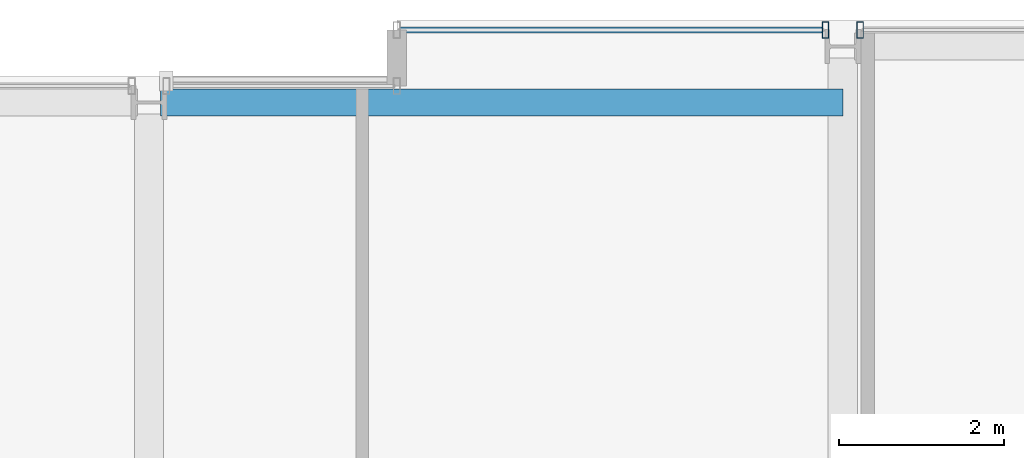
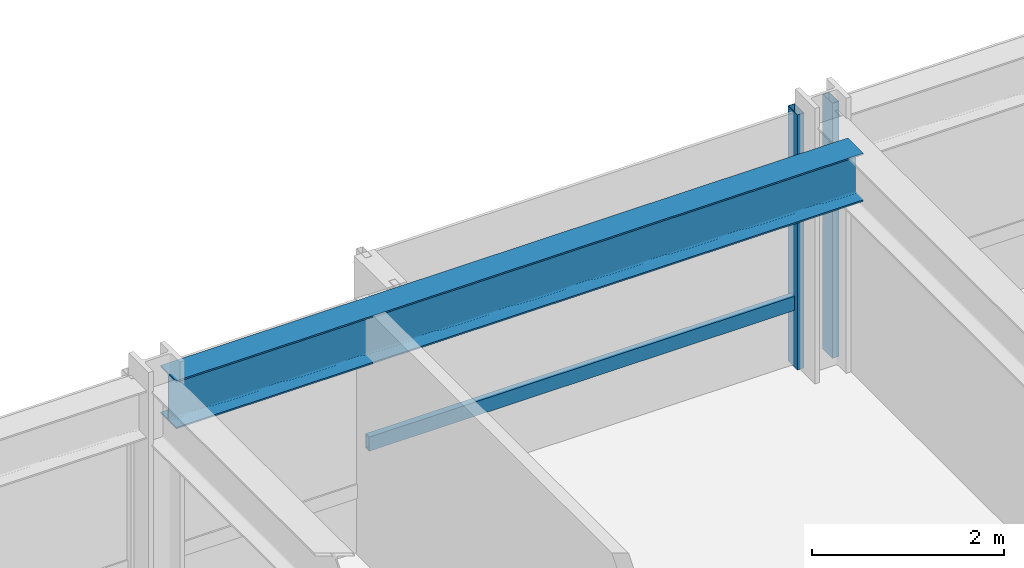
# One storey, part 25 of 35: 3 members, 1 beam, 2 elements without a shape of their own.
"""IFC4 building model written with IfcOpenShell, lengths in metres."""

from ifc_helpers import new_model, si_unit, direction, frame, origin, origin_2d, place, context, subcontext, project, spatial, hollow_rectangle, i_section, extrude, material, layer, layer_set, material_profile, profile_set, type_object, element, aggregate, save


model = new_model("IFC4")

# Units and contexts
model_context = context("Model", 3, precision=1e-05, world=origin(), true_north=direction((0.0, 1.0)))
body_context = subcontext(model_context, "Body", "Model", "MODEL_VIEW")
ifc_project = project(units=[si_unit("LENGTHUNIT", "METRE"), si_unit("AREAUNIT", "SQUARE_METRE"), si_unit("VOLUMEUNIT", "CUBIC_METRE"), si_unit("PLANEANGLEUNIT", "RADIAN"), si_unit("MASSUNIT", "GRAM", prefix="KILO")], contexts=[model_context])

# Site, building, storey
site_placement = place(None, origin())
site = spatial("IfcSite", under=ifc_project, at=site_placement, CompositionType="ELEMENT")
building_placement = place(site_placement, origin())
building = spatial("IfcBuilding", under=site, at=building_placement, Name="Drelvath Grand Hotel", CompositionType="ELEMENT")
storey_placement = place(building_placement, frame((0.0, 0.0, 130.300048828125)))
storey = spatial("IfcBuildingStorey", under=building, at=storey_placement, Name="L33", CompositionType="ELEMENT", Elevation=130.300048828125)

# Curtain wall, members
ifc_material_1 = material(Name="Champagne Bronze Anodised Aluminium Frame", Category="aluminium")
ifc_layer = layer(ifc_material_1, 0.199951171875)
ifc_layer_set = layer_set([ifc_layer], Name="Champagne Bronze Anodised Aluminium Frame")
curtain_wall_type = type_object("IfcCurtainWallType", Name="Stick Curtain Wall CW-03 Champagne Bronze Mid-Rise", PredefinedType="NOTDEFINED", material=ifc_layer_set)
curtain_wall_1_placement = place(storey_placement, origin())
curtain_wall_1 = element("IfcCurtainWall", 1, at=curtain_wall_1_placement, inside=storey, type_object=curtain_wall_type, Name="L33 CW-03 Curtain Wall CW03-L33-NE1", PredefinedType="NOTDEFINED")
ifc_material_profile_1 = material_profile(ifc_material_1, hollow_rectangle(XDim=0.074951171875, YDim=0.179931640625, WallThickness=0.0048828125, at=origin_2d()), Name="HSS180X75X5")
ifc_profile_set_1 = profile_set([ifc_material_profile_1], Name="Champagne Bronze Anodised Aluminium Frame")
member_type_1 = type_object("IfcMemberType", Name="Curtain Wall Horizontal Transom CW-03 HSS180X75X5", PredefinedType="USERDEFINED", material=ifc_profile_set_1)
member_1_placement = place(storey_placement, frame((3.0400390625, 53.8798828125, 0.81005859375), z_axis=(1.0, 0.0, 0.0), x_axis=(0.0, 1.0, 0.0)))
member_1 = element("IfcMember", 2, at=member_1_placement, type_object=member_type_1, Name="CW03-L33-NE1 Sill Transom", ObjectType="TRANSOM", PredefinedType="USERDEFINED", context=body_context, shape_type="SweptSolid", body=[
    extrude(hollow_rectangle(XDim=0.074951171875, YDim=0.179931640625, WallThickness=0.0048828125, at=origin_2d()), origin(), (0.0, 0.0, 1.0), 5.110595703125),
])
ifc_material_profile_2 = material_profile(ifc_material_1, hollow_rectangle(XDim=0.080078125, YDim=0.199951171875, WallThickness=0.0048828125, at=origin_2d()), Name="HSS200X80X5")
ifc_profile_set_2 = profile_set([ifc_material_profile_2], Name="Champagne Bronze Anodised Aluminium Frame")
member_type_2 = type_object("IfcMemberType", Name="Curtain Wall Vertical Mullion CW-03 HSS200X80X5", PredefinedType="MULLION", material=ifc_profile_set_2)
member_2_placement = place(storey_placement, frame((8.190673828125, 53.8798828125, 0.0), z_axis=(0.0, 0.0, 1.0), x_axis=(1.0, 0.0, 0.0)))
member_2 = element("IfcMember", 3, at=member_2_placement, type_object=member_type_2, Name="CW03-L33-NE1 Mullion 2", PredefinedType="MULLION", context=body_context, shape_type="SweptSolid", body=[
    extrude(hollow_rectangle(XDim=0.080078125, YDim=0.199951171875, WallThickness=0.0048828125, at=origin_2d()), origin(), (0.0, 0.0, 1.0), 3.239990234375),
])
aggregate(curtain_wall_1, [member_2, member_1])

# Curtain wall, member
curtain_wall_2_placement = place(storey_placement, origin())
curtain_wall_2 = element("IfcCurtainWall", 4, at=curtain_wall_2_placement, inside=storey, type_object=curtain_wall_type, Name="L33 CW-03 Curtain Wall CW03-L33-NE2", PredefinedType="NOTDEFINED")
member_3_placement = place(storey_placement, frame((8.609375, 53.8798828125, 0.0), z_axis=(0.0, 0.0, 1.0), x_axis=(1.0, 0.0, 0.0)))
member_3 = element("IfcMember", 5, at=member_3_placement, type_object=member_type_2, Name="CW03-L33-NE2 Mullion 1", PredefinedType="MULLION", context=body_context, shape_type="SweptSolid", body=[
    extrude(hollow_rectangle(XDim=0.080078125, YDim=0.199951171875, WallThickness=0.0048828125, at=origin_2d()), origin(), (0.0, 0.0, 1.0), 3.239990234375),
])
aggregate(curtain_wall_2, [member_3])

# Beam
ifc_material_2 = material(Name="Steel ASTM A992 Gr 50", Category="steel")
ifc_material_profile_3 = material_profile(ifc_material_2, i_section(OverallWidth=0.323974609375, OverallDepth=0.611083984375, WebThickness=0.0126953125, FlangeThickness=0.01904296875, FilletRadius=0.02197265625, at=origin_2d()), Name="W24X104")
ifc_profile_set_3 = profile_set([ifc_material_profile_3], Name="Steel ASTM A992 Gr 50")
beam_type = type_object("IfcBeamType", Name="Perimeter Spandrel Beam W24X104", PredefinedType="SPANDREL", material=ifc_profile_set_3)
beam_placement = place(storey_placement, frame((0.139892578125, 53.0, 2.934326171875), z_axis=(1.0, 0.0, 0.0), x_axis=(0.0, 1.0, 0.0)))
element("IfcBeam", 6, at=beam_placement, inside=storey, type_object=beam_type, Name="L33 Spandrel North Mid E", PredefinedType="SPANDREL", context=body_context, shape_type="SweptSolid", body=[
    extrude(i_section(OverallWidth=0.323974609375, OverallDepth=0.611083984375, WebThickness=0.0126953125, FlangeThickness=0.01904296875, FilletRadius=0.02197265625, at=origin_2d()), origin(), (0.0, 0.0, 1.0), 8.260009765625),
])

save(model, "model.ifc")
